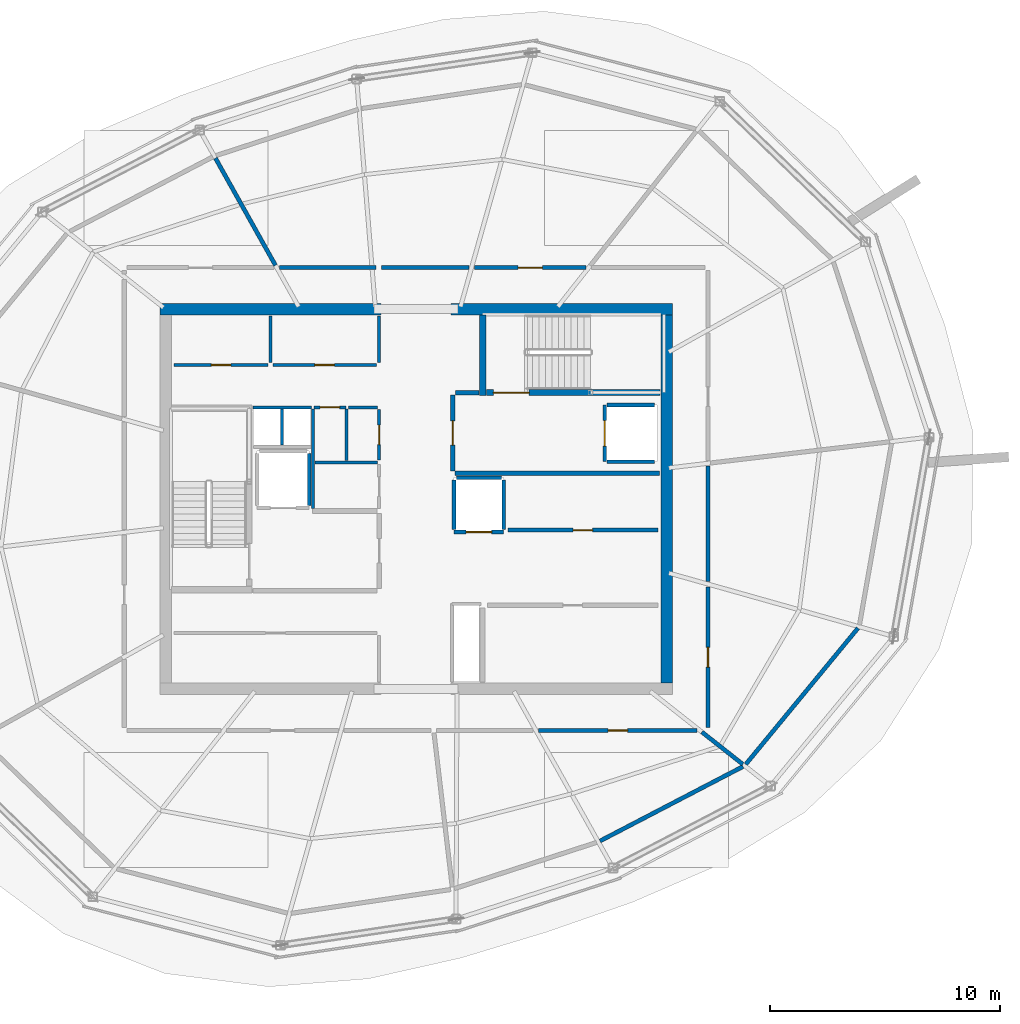
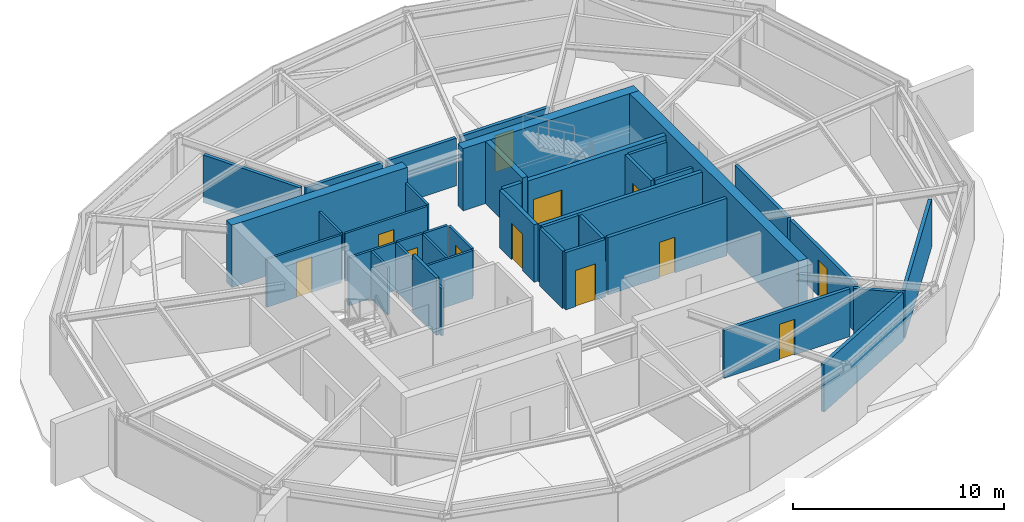
# One storey, part 8 of 10: 39 walls, 12 doors, 12 openings.
"""IFC4 building model written with IfcOpenShell, lengths in metres."""

from ifc_helpers import new_model, si_unit, direction, frame, frame_2d, origin, place, context, subcontext, project, spatial, rectangle, extrude, material, layer, layer_set, type_object, element, fill, save


model = new_model("IFC4")

# Units and contexts
model_context = context("Model", 3, precision=1e-05, world=origin(), true_north=direction((0.0, 1.0)))
body_context = subcontext(model_context, "Body", "Model", "MODEL_VIEW")
ifc_project = project(units=[si_unit("LENGTHUNIT", "METRE"), si_unit("AREAUNIT", "SQUARE_METRE"), si_unit("VOLUMEUNIT", "CUBIC_METRE"), si_unit("PLANEANGLEUNIT", "RADIAN"), si_unit("MASSUNIT", "GRAM", prefix="KILO")], contexts=[model_context])

# Site, building, storey
site_placement = place(None, origin())
site = spatial("IfcSite", under=ifc_project, at=site_placement, CompositionType="ELEMENT")
building_placement = place(site_placement, origin())
building = spatial("IfcBuilding", under=site, at=building_placement, Name="Kazma Halo Residences", CompositionType="ELEMENT")
storey_placement = place(building_placement, frame((0.0, 0.0, 359.60009765625)))
storey = spatial("IfcBuildingStorey", under=building, at=storey_placement, Name="L90", CompositionType="ELEMENT", Elevation=359.60009765625)

# Walls
ifc_material_1 = material(Name="Concrete C60/75", Category="concrete")
ifc_layer_1 = layer(ifc_material_1, 0.5)
ifc_layer_set_1 = layer_set([ifc_layer_1], Name="Concrete C60/75")
wall_type_1 = type_object("IfcWallType", Name="WL-CORE-500", PredefinedType="SHEAR", material=ifc_layer_set_1)
wall_1_placement = place(storey_placement, frame((37.300048828125, 50.25, 0.0), z_axis=(0.0, 0.0, 1.0), x_axis=(1.0, 0.0, 0.0)))
element("IfcWall", 1, at=wall_1_placement, inside=storey, type_object=wall_type_1, Name="L90 central core shear wall NW", PredefinedType="SHEAR", context=body_context, shape_type="SweptSolid", body=[
    extrude(rectangle(XDim=9.599853515625, YDim=0.5, at=frame_2d((4.7998046875, 0.0))), origin(), (0.0, 0.0, 1.0), 3.599853515625),
])
wall_2_placement = place(storey_placement, frame((49.949951171875, 50.25, 0.0), z_axis=(0.0, 0.0, 1.0), x_axis=(1.0, 0.0, 0.0)))
element("IfcWall", 2, at=wall_2_placement, inside=storey, type_object=wall_type_1, Name="L90 central core shear wall NE", PredefinedType="SHEAR", context=body_context, shape_type="SweptSolid", body=[
    extrude(rectangle(XDim=9.60009765625, YDim=0.5, at=frame_2d((4.800048828125, 0.0))), origin(), (0.0, 0.0, 1.0), 3.599853515625),
])
wall_3_placement = place(storey_placement, frame((59.300048828125, 34.0, 0.0), z_axis=(0.0, 0.0, 1.0), x_axis=(0.0, 1.0, 0.0)))
element("IfcWall", 3, at=wall_3_placement, inside=storey, type_object=wall_type_1, Name="L90 central core shear wall E", PredefinedType="SHEAR", context=body_context, shape_type="SweptSolid", body=[
    extrude(rectangle(XDim=16.0, YDim=0.5, at=frame_2d((8.0, 0.0))), origin(), (0.0, 0.0, 1.0), 3.599853515625),
])
ifc_layer_2 = layer(ifc_material_1, 0.280029296875)
ifc_layer_set_2 = layer_set([ifc_layer_2], Name="Concrete C60/75")
wall_type_2 = type_object("IfcWallType", Name="WL-CORE-ST-280", PredefinedType="SHEAR", material=ifc_layer_set_2)
wall_4_placement = place(storey_placement, frame((51.31005859375, 46.5, 0.0), z_axis=(0.0, 0.0, 1.0), x_axis=(0.0, 1.0, 0.0)))
element("IfcWall", 4, at=wall_4_placement, inside=storey, type_object=wall_type_2, Name="L90 stairwell bearing wall ST02-W", PredefinedType="SHEAR", context=body_context, shape_type="SweptSolid", body=[
    extrude(rectangle(XDim=3.5, YDim=0.280029296875, at=frame_2d((1.75, 0.0))), origin(), (0.0, 0.0, 1.0), 3.599853515625),
])
ifc_material_2 = material(Name="Acoustic Twin-Stud Gypsum")
ifc_layer_3 = layer(ifc_material_2, 0.179931640625)
ifc_layer_set_3 = layer_set([ifc_layer_3], Name="Acoustic Twin-Stud Gypsum")
wall_type_3 = type_object("IfcWallType", Name="WL-DEM-180", PredefinedType="PARTITIONING", material=ifc_layer_set_3)
wall_5_placement = place(storey_placement, frame((56.409912109375, 27.14697265625, 0.0), z_axis=(0.0, 0.0, 1.0), x_axis=(0.886949494865, 0.461866423935, 0.0)))
element("IfcWall", 5, at=wall_5_placement, inside=storey, type_object=wall_type_3, Name="L90 crown plant perimeter wall 12", PredefinedType="PARTITIONING", context=body_context, shape_type="SweptSolid", body=[
    extrude(rectangle(XDim=7.002197265625, YDim=0.179931640625, at=frame_2d((3.5009765625, 0.0))), origin(), (0.0, 0.0, 1.0), 2.760009765625),
])
wall_6_placement = place(storey_placement, frame((62.742431640625, 30.479736328125, 0.0), z_axis=(0.0, 0.0, 1.0), x_axis=(0.636018833443, 0.771673534278, 0.0)))
element("IfcWall", 6, at=wall_6_placement, inside=storey, type_object=wall_type_3, Name="L90 crown plant perimeter wall 13", PredefinedType="PARTITIONING", context=body_context, shape_type="SweptSolid", body=[
    extrude(rectangle(XDim=7.661376953125, YDim=0.179931640625, at=frame_2d((3.83056640625, 0.0))), origin(), (0.0, 0.0, 1.0), 2.760009765625),
])

# Wall, opening, door
wall_7_placement = place(storey_placement, frame((55.802734375, 52.050048828125, 0.0), z_axis=(0.0, 0.0, 1.0), x_axis=(-1.0, 0.0, 0.0)))
wall_7 = element("IfcWall", 7, at=wall_7_placement, inside=storey, type_object=wall_type_3, Name="L90 L90 District Cooling Chiller Plant Room corridor wall", PredefinedType="PARTITIONING", context=body_context, shape_type="SweptSolid", body=[
    extrude(rectangle(XDim=4.848388671875, YDim=0.179931640625, at=frame_2d((2.42431640625, 0.0))), origin(), (0.0, 0.0, 1.0), 2.760009765625),
])
opening_1_placement = place(wall_7_placement, frame((1.899169921875, 0.0, 0.0)))
opening_1 = element("IfcOpeningElement", 8, at=opening_1_placement, cuts=wall_7, Name="Opening DF-1050", PredefinedType="OPENING", context=body_context, shape_type="SweptSolid", body=[
    extrude(rectangle(XDim=1.050048828125, YDim=2.10009765625, at=frame_2d((0.52490234375, 1.050048828125))), frame((0.0, 0.099853515625, 0.0), z_axis=(0.0, -1.0, 0.0), x_axis=(1.0, 0.0, 0.0)), (0.0, 0.0, 1.0), 0.199951171875),
])
ifc_material_3 = material(Name="Fire-Rated Steel Leaf", Category="steel")
door_type_1 = type_object("IfcDoorType", Name="DR-FD90-1050", OperationType="NOTDEFINED", PredefinedType="DOOR", material=ifc_material_3)
door_1_placement = place(opening_1_placement, origin())
door_1 = element("IfcDoor", 9, at=door_1_placement, inside=storey, type_object=door_type_1, Name="L90 L90 District Cooling Chiller Plant Room door", OperationType="SINGLE_SWING_RIGHT", OverallHeight=2.10009765625, OverallWidth=1.050048828125, PredefinedType="DOOR", context=body_context, shape_type="SweptSolid", body=[
    extrude(rectangle(XDim=1.050048828125, YDim=2.10009765625, at=frame_2d((0.52490234375, 1.050048828125))), frame((0.0, 0.02490234375, 0.0), z_axis=(0.0, -1.0, 0.0), x_axis=(1.0, 0.0, 0.0)), (0.0, 0.0, 1.0), 0.050048828125),
])
fill(opening_1, door_1)

# Walls
wall_8_placement = place(storey_placement, frame((50.71435546875, 52.050048828125, 0.0), z_axis=(0.0, 0.0, 1.0), x_axis=(-1.0, 0.0, 0.0)))
element("IfcWall", 10, at=wall_8_placement, inside=storey, type_object=wall_type_3, Name="L90 L90 District Cooling Chiller Plant Room corridor wall", PredefinedType="PARTITIONING", context=body_context, shape_type="SweptSolid", body=[
    extrude(rectangle(XDim=3.783935546875, YDim=0.179931640625, at=frame_2d((1.89208984375, 0.0))), origin(), (0.0, 0.0, 1.0), 2.760009765625),
])
wall_9_placement = place(storey_placement, frame((46.6904296875, 52.050048828125, 0.0), z_axis=(0.0, 0.0, 1.0), x_axis=(-1.0, 0.0, 0.0)))
element("IfcWall", 11, at=wall_9_placement, inside=storey, type_object=wall_type_3, Name="L90 L90 District Cooling Chiller Plant Room corridor wall", PredefinedType="PARTITIONING", context=body_context, shape_type="SweptSolid", body=[
    extrude(rectangle(XDim=4.19873046875, YDim=0.179931640625, at=frame_2d((2.099365234375, 0.0))), origin(), (0.0, 0.0, 1.0), 2.760009765625),
])
wall_10_placement = place(storey_placement, frame((42.318115234375, 52.14599609375, 0.0), z_axis=(0.0, 0.0, 1.0), x_axis=(-0.488622869326, 0.872495095443, 0.0)))
element("IfcWall", 12, at=wall_10_placement, inside=storey, type_object=wall_type_3, Name="L90 radial partition wall 04", PredefinedType="PARTITIONING", context=body_context, shape_type="SweptSolid", body=[
    extrude(rectangle(XDim=5.337158203125, YDim=0.179931640625, at=frame_2d((2.66845703125, 0.0))), origin(), (0.0, 0.0, 1.0), 2.760009765625),
])

# Wall, opening, door
wall_11_placement = place(storey_placement, frame((53.748291015625, 31.949951171875, 0.0), z_axis=(0.0, 0.0, 1.0), x_axis=(1.0, 0.0, 0.0)))
wall_11 = element("IfcWall", 13, at=wall_11_placement, inside=storey, type_object=wall_type_3, Name="L90 L90 Domestic Break Water Tank Room corridor wall", PredefinedType="PARTITIONING", context=body_context, shape_type="SweptSolid", body=[
    extrude(rectangle(XDim=6.880126953125, YDim=0.179931640625, at=frame_2d((3.43994140625, 0.0))), origin(), (0.0, 0.0, 1.0), 2.760009765625),
])
opening_2_placement = place(wall_11_placement, frame((3.014892578125, 0.0, 0.0)))
opening_2 = element("IfcOpeningElement", 14, at=opening_2_placement, cuts=wall_11, Name="Opening DS-850", PredefinedType="OPENING", context=body_context, shape_type="SweptSolid", body=[
    extrude(rectangle(XDim=0.85009765625, YDim=2.06005859375, at=frame_2d((0.425048828125, 1.030029296875))), frame((0.0, 0.099853515625, 0.0), z_axis=(0.0, -1.0, 0.0), x_axis=(1.0, 0.0, 0.0)), (0.0, 0.0, 1.0), 0.199951171875),
])
ifc_material_4 = material(Name="Painted Steel Access Leaf", Category="steel")
door_type_2 = type_object("IfcDoorType", Name="DR-SVC-850", OperationType="NOTDEFINED", PredefinedType="DOOR", material=ifc_material_4)
door_2_placement = place(opening_2_placement, origin())
door_2 = element("IfcDoor", 15, at=door_2_placement, inside=storey, type_object=door_type_2, Name="L90 L90 Domestic Break Water Tank Room door", OperationType="SINGLE_SWING_RIGHT", OverallHeight=2.06005859375, OverallWidth=0.85009765625, PredefinedType="DOOR", context=body_context, shape_type="SweptSolid", body=[
    extrude(rectangle(XDim=0.85009765625, YDim=2.06005859375, at=frame_2d((0.425048828125, 1.030029296875))), frame((0.0, 0.02490234375, 0.0), z_axis=(0.0, -1.0, 0.0), x_axis=(1.0, 0.0, 0.0)), (0.0, 0.0, 1.0), 0.050048828125),
])
fill(opening_2, door_2)

# Wall
wall_12_placement = place(storey_placement, frame((60.834716796875, 31.8818359375, 0.0), z_axis=(0.0, 0.0, 1.0), x_axis=(0.785329646864, -0.619077818821, 0.0)))
element("IfcWall", 16, at=wall_12_placement, inside=storey, type_object=wall_type_3, Name="L90 radial partition wall 13", PredefinedType="PARTITIONING", context=body_context, shape_type="SweptSolid", body=[
    extrude(rectangle(XDim=2.264404296875, YDim=0.179931640625, at=frame_2d((1.13232421875, 0.0))), origin(), (0.0, 0.0, 1.0), 2.760009765625),
])

# Wall, opening, door
wall_13_placement = place(storey_placement, frame((61.10009765625, 32.070068359375, 0.0), z_axis=(0.0, 0.0, 1.0), x_axis=(0.0, 1.0, 0.0)))
wall_13 = element("IfcWall", 17, at=wall_13_placement, inside=storey, type_object=wall_type_3, Name="L90 L90 HV Switchgear Plant Room corridor wall", PredefinedType="PARTITIONING", context=body_context, shape_type="SweptSolid", body=[
    extrude(rectangle(XDim=6.115234375, YDim=0.179931640625, at=frame_2d((3.0576171875, 0.0))), origin(), (0.0, 0.0, 1.0), 2.760009765625),
])
opening_3_placement = place(wall_13_placement, frame((2.6328125, 0.0, 0.0)))
opening_3 = element("IfcOpeningElement", 18, at=opening_3_placement, cuts=wall_13, Name="Opening DS-850", PredefinedType="OPENING", context=body_context, shape_type="SweptSolid", body=[
    extrude(rectangle(XDim=0.85009765625, YDim=2.06005859375, at=frame_2d((0.425048828125, 1.030029296875))), frame((0.0, 0.099853515625, 0.0), z_axis=(0.0, -1.0, 0.0), x_axis=(1.0, 0.0, 0.0)), (0.0, 0.0, 1.0), 0.199951171875),
])
door_3_placement = place(opening_3_placement, origin())
door_3 = element("IfcDoor", 19, at=door_3_placement, inside=storey, type_object=door_type_2, Name="L90 L90 HV Switchgear Plant Room door", OperationType="SINGLE_SWING_LEFT", OverallHeight=2.06005859375, OverallWidth=0.85009765625, PredefinedType="DOOR", context=body_context, shape_type="SweptSolid", body=[
    extrude(rectangle(XDim=0.85009765625, YDim=2.06005859375, at=frame_2d((0.425048828125, 1.030029296875))), frame((0.0, 0.02490234375, 0.0), z_axis=(0.0, -1.0, 0.0), x_axis=(1.0, 0.0, 0.0)), (0.0, 0.0, 1.0), 0.050048828125),
])
fill(opening_3, door_3)

# Walls
wall_14_placement = place(storey_placement, frame((61.10009765625, 38.42529296875, 0.0), z_axis=(0.0, 0.0, 1.0), x_axis=(0.0, 1.0, 0.0)))
element("IfcWall", 20, at=wall_14_placement, inside=storey, type_object=wall_type_3, Name="L90 L90 HV Switchgear Plant Room corridor wall", PredefinedType="PARTITIONING", context=body_context, shape_type="SweptSolid", body=[
    extrude(rectangle(XDim=5.005126953125, YDim=0.179931640625, at=frame_2d((2.50244140625, 0.0))), origin(), (0.0, 0.0, 1.0), 2.760009765625),
])
ifc_material_5 = material(Name="Fire-Rated Blockwork Masonry", Category="masonry")
ifc_layer_4 = layer(ifc_material_5, 0.199951171875)
ifc_layer_set_4 = layer_set([ifc_layer_4], Name="Fire-Rated Blockwork Masonry")
wall_type_4 = type_object("IfcWallType", Name="WL-FLB-200", PredefinedType="PARTITIONING", material=ifc_layer_set_4)
wall_15_placement = place(storey_placement, frame((43.780029296875, 41.719970703125, 0.0), z_axis=(0.0, 0.0, 1.0), x_axis=(0.0, 1.0, 0.0)))
element("IfcWall", 21, at=wall_15_placement, inside=storey, type_object=wall_type_4, Name="L90 lift shaft FL-01 side wall E", PredefinedType="PARTITIONING", context=body_context, shape_type="SweptSolid", body=[
    extrude(rectangle(XDim=2.260009765625, YDim=0.159912109375, at=frame_2d((1.1298828125, 0.0))), origin(), (0.0, 0.0, 1.0), 3.31982421875),
])

# Wall, opening, door
wall_16_placement = place(storey_placement, frame((56.6201171875, 46.080078125, 0.0), z_axis=(0.0, 0.0, 1.0), x_axis=(0.0, -1.0, 0.0)))
wall_16 = element("IfcWall", 22, at=wall_16_placement, inside=storey, type_object=wall_type_4, Name="L90 lift shaft FL-02 front wall", PredefinedType="PARTITIONING", context=body_context, shape_type="SweptSolid", body=[
    extrude(rectangle(XDim=2.4599609375, YDim=0.159912109375, at=frame_2d((1.22998046875, 0.0))), origin(), (0.0, 0.0, 1.0), 3.31982421875),
])
opening_4_placement = place(wall_16_placement, frame((0.679931640625, 0.0, 0.0)))
opening_4 = element("IfcOpeningElement", 23, at=opening_4_placement, cuts=wall_16, Name="Opening LD-FL-02", PredefinedType="OPENING", context=body_context, shape_type="SweptSolid", body=[
    extrude(rectangle(XDim=1.10009765625, YDim=2.10009765625, at=frame_2d((0.550048828125, 1.050048828125))), frame((0.0, 0.08984375, 0.0), z_axis=(0.0, -1.0, 0.0), x_axis=(1.0, 0.0, 0.0)), (0.0, 0.0, 1.0), 0.179931640625),
])
ifc_material_6 = material(Name="Stainless Steel Fire-Rated", Category="steel")
door_type_3 = type_object("IfcDoorType", Name="DR-LIFT-SLD-1100", OperationType="DOUBLE_DOOR_SLIDING", PredefinedType="DOOR", material=ifc_material_6)
door_4_placement = place(opening_4_placement, origin())
door_4 = element("IfcDoor", 24, at=door_4_placement, inside=storey, type_object=door_type_3, Name="L90 lift FL-02 sliding landing door", OperationType="DOUBLE_DOOR_SLIDING", OverallHeight=2.10009765625, OverallWidth=1.10009765625, PredefinedType="DOOR", context=body_context, shape_type="SweptSolid", body=[
    extrude(rectangle(XDim=1.10009765625, YDim=2.10009765625, at=frame_2d((0.550048828125, 1.050048828125))), frame((0.0, 0.02490234375, 0.0), z_axis=(0.0, -1.0, 0.0), x_axis=(1.0, 0.0, 0.0)), (0.0, 0.0, 1.0), 0.050048828125),
])
fill(opening_4, door_4)

# Walls
for number, where, z_axis, x_axis, name in (
    (25, (56.719970703125, 46.080078125, 0.0), (0.0, 0.0, 1.0), (1.0, 0.0, 0.0), "L90 lift shaft FL-02 side wall N"),
    (26, (56.719970703125, 43.6201171875, 0.0), (0.0, 0.0, 1.0), (1.0, 0.0, 0.0), "L90 lift shaft FL-02 side wall S"),
):
    element("IfcWall", number, at=place(storey_placement, frame(where, z_axis=z_axis, x_axis=x_axis)), inside=storey, type_object=wall_type_4, Name=name, PredefinedType="PARTITIONING", context=body_context, shape_type="SweptSolid", body=[
        extrude(rectangle(XDim=2.06005859375, YDim=0.159912109375, at=frame_2d((1.030029296875, 0.0))), origin(), (0.0, 0.0, 1.0), 3.31982421875),
    ])

# Wall, opening, door
wall_17_placement = place(storey_placement, frame((52.22998046875, 40.570068359375, 0.0), z_axis=(0.0, 0.0, 1.0), x_axis=(-1.0, 0.0, 0.0)))
wall_17 = element("IfcWall", 27, at=wall_17_placement, inside=storey, type_object=wall_type_4, Name="L90 lift shaft SV-01 front wall", PredefinedType="PARTITIONING", context=body_context, shape_type="SweptSolid", body=[
    extrude(rectangle(XDim=2.159912109375, YDim=0.159912109375, at=frame_2d((1.080078125, 0.0))), origin(), (0.0, 0.0, 1.0), 3.31982421875),
])
opening_5_placement = place(wall_17_placement, frame((0.530029296875, 0.0, 0.0)))
opening_5 = element("IfcOpeningElement", 28, at=opening_5_placement, cuts=wall_17, Name="Opening LD-SV-01", PredefinedType="OPENING", context=body_context, shape_type="SweptSolid", body=[
    extrude(rectangle(XDim=1.10009765625, YDim=2.10009765625, at=frame_2d((0.550048828125, 1.050048828125))), frame((0.0, 0.08984375, 0.0), z_axis=(0.0, -1.0, 0.0), x_axis=(1.0, 0.0, 0.0)), (0.0, 0.0, 1.0), 0.179931640625),
])
door_5_placement = place(opening_5_placement, origin())
door_5 = element("IfcDoor", 29, at=door_5_placement, inside=storey, type_object=door_type_3, Name="L90 lift SV-01 sliding landing door", OperationType="DOUBLE_DOOR_SLIDING", OverallHeight=2.10009765625, OverallWidth=1.10009765625, PredefinedType="DOOR", context=body_context, shape_type="SweptSolid", body=[
    extrude(rectangle(XDim=1.10009765625, YDim=2.10009765625, at=frame_2d((0.550048828125, 1.050048828125))), frame((0.0, 0.02490234375, 0.0), z_axis=(0.0, -1.0, 0.0), x_axis=(1.0, 0.0, 0.0)), (0.0, 0.0, 1.0), 0.050048828125),
])
fill(opening_5, door_5)

# Walls
for number, where, z_axis, x_axis, name in (
    (30, (52.22998046875, 40.669921875, 0.0), (0.0, 0.0, 1.0), (0.0, 1.0, 0.0), "L90 lift shaft SV-01 side wall E"),
    (31, (50.070068359375, 40.669921875, 0.0), (0.0, 0.0, 1.0), (0.0, 1.0, 0.0), "L90 lift shaft SV-01 side wall W"),
):
    element("IfcWall", number, at=place(storey_placement, frame(where, z_axis=z_axis, x_axis=x_axis)), inside=storey, type_object=wall_type_4, Name=name, PredefinedType="PARTITIONING", context=body_context, shape_type="SweptSolid", body=[
        extrude(rectangle(XDim=2.16015625, YDim=0.159912109375, at=frame_2d((1.080078125, 0.0))), origin(), (0.0, 0.0, 1.0), 3.31982421875),
    ])
wall_18_placement = place(storey_placement, frame((50.169921875, 42.929931640625, 0.0), z_axis=(0.0, 0.0, 1.0), x_axis=(1.0, 0.0, 0.0)))
element("IfcWall", 32, at=wall_18_placement, inside=storey, type_object=wall_type_4, Name="L90 lift shaft SV-01 side wall N", PredefinedType="PARTITIONING", context=body_context, shape_type="SweptSolid", body=[
    extrude(rectangle(XDim=1.9599609375, YDim=0.159912109375, at=frame_2d((0.97998046875, 0.0))), origin(), (0.0, 0.0, 1.0), 3.31982421875),
])

# Wall, opening, door
wall_19_placement = place(storey_placement, frame((52.419921875, 40.64990234375, 0.0), z_axis=(0.0, 0.0, 1.0), x_axis=(1.0, 0.0, 0.0)))
wall_19 = element("IfcWall", 33, at=wall_19_placement, inside=storey, type_object=wall_type_4, Name="L90 core east reserve wall", PredefinedType="PARTITIONING", context=body_context, shape_type="SweptSolid", body=[
    extrude(rectangle(XDim=6.5, YDim=0.179931640625, at=frame_2d((3.25, 0.0))), origin(), (0.0, 0.0, 1.0), 3.31982421875),
])
opening_6_placement = place(wall_19_placement, frame((2.824951171875, 0.0, 0.0)))
opening_6 = element("IfcOpeningElement", 34, at=opening_6_placement, cuts=wall_19, Name="Opening DS-850", PredefinedType="OPENING", context=body_context, shape_type="SweptSolid", body=[
    extrude(rectangle(XDim=0.85009765625, YDim=2.06005859375, at=frame_2d((0.425048828125, 1.030029296875))), frame((0.0, 0.099853515625, 0.0), z_axis=(0.0, -1.0, 0.0), x_axis=(1.0, 0.0, 0.0)), (0.0, 0.0, 1.0), 0.199951171875),
])
door_6_placement = place(opening_6_placement, origin())
door_6 = element("IfcDoor", 35, at=door_6_placement, inside=storey, type_object=door_type_2, Name="L90 core east reserve door", OperationType="SINGLE_SWING_LEFT", OverallHeight=2.06005859375, OverallWidth=0.85009765625, PredefinedType="DOOR", context=body_context, shape_type="SweptSolid", body=[
    extrude(rectangle(XDim=0.85009765625, YDim=2.06005859375, at=frame_2d((0.425048828125, 1.030029296875))), frame((0.0, 0.02490234375, 0.0), z_axis=(0.0, -1.0, 0.0), x_axis=(1.0, 0.0, 0.0)), (0.0, 0.0, 1.0), 0.050048828125),
])
fill(opening_6, door_6)

# Walls
wall_20_placement = place(storey_placement, frame((50.1201171875, 43.1201171875, 0.0), z_axis=(0.0, 0.0, 1.0), x_axis=(1.0, 0.0, 0.0)))
element("IfcWall", 36, at=wall_20_placement, inside=storey, type_object=wall_type_4, Name="L90 east firefighting lobby south smoke wall", PredefinedType="PARTITIONING", context=body_context, shape_type="SweptSolid", body=[
    extrude(rectangle(XDim=8.8798828125, YDim=0.199951171875, at=frame_2d((4.43994140625, 0.0))), origin(), (0.0, 0.0, 1.0), 3.31982421875),
])
wall_21_placement = place(storey_placement, frame((50.139892578125, 46.6201171875, 0.0), z_axis=(0.0, 0.0, 1.0), x_axis=(1.0, 0.0, 0.0)))
element("IfcWall", 37, at=wall_21_placement, inside=storey, type_object=wall_type_4, Name="L90 east firefighting lobby north closure wall", PredefinedType="PARTITIONING", context=body_context, shape_type="SweptSolid", body=[
    extrude(rectangle(XDim=1.02001953125, YDim=0.199951171875, at=frame_2d((0.510009765625, 0.0))), origin(), (0.0, 0.0, 1.0), 3.31982421875),
])

# Wall, opening, door
wall_22_placement = place(storey_placement, frame((50.02001953125, 43.219970703125, 0.0), z_axis=(0.0, 0.0, 1.0), x_axis=(0.0, 1.0, 0.0)))
wall_22 = element("IfcWall", 38, at=wall_22_placement, inside=storey, type_object=wall_type_4, Name="L90 east firefighting lobby smoke wall", PredefinedType="PARTITIONING", context=body_context, shape_type="SweptSolid", body=[
    extrude(rectangle(XDim=3.300048828125, YDim=0.199951171875, at=frame_2d((1.64990234375, 0.0))), origin(), (0.0, 0.0, 1.0), 3.31982421875),
])
opening_7_placement = place(wall_22_placement, frame((1.125, 0.0, 0.0)))
opening_7 = element("IfcOpeningElement", 39, at=opening_7_placement, cuts=wall_22, Name="Opening D-FLE", PredefinedType="OPENING", context=body_context, shape_type="SweptSolid", body=[
    extrude(rectangle(XDim=1.050048828125, YDim=2.10009765625, at=frame_2d((0.52490234375, 1.050048828125))), frame((0.0, 0.10986328125, 0.0), z_axis=(0.0, -1.0, 0.0), x_axis=(1.0, 0.0, 0.0)), (0.0, 0.0, 1.0), 0.219970703125),
])
door_7_placement = place(opening_7_placement, origin())
door_7 = element("IfcDoor", 40, at=door_7_placement, inside=storey, type_object=door_type_1, Name="L90 east firefighting lobby smoke door", OperationType="SINGLE_SWING_RIGHT", OverallHeight=2.10009765625, OverallWidth=1.050048828125, PredefinedType="DOOR", context=body_context, shape_type="SweptSolid", body=[
    extrude(rectangle(XDim=1.050048828125, YDim=2.10009765625, at=frame_2d((0.52490234375, 1.050048828125))), frame((0.0, 0.02490234375, 0.0), z_axis=(0.0, -1.0, 0.0), x_axis=(1.0, 0.0, 0.0)), (0.0, 0.0, 1.0), 0.050048828125),
])
fill(opening_7, door_7)

# Walls
ifc_material_7 = material(Name="Gypsum Plasterboard Partition")
ifc_layer_5 = layer(ifc_material_7, 0.125)
ifc_layer_set_5 = layer_set([ifc_layer_5], Name="Gypsum Plasterboard Partition")
wall_type_5 = type_object("IfcWallType", Name="WL-PART-125", PredefinedType="PARTITIONING", material=ifc_layer_set_5)
for number, where, z_axis, x_axis, name in (
    (41, (46.820068359375, 47.919921875, 0.0), (0.0, 0.0, 1.0), (0.0, 1.0, 0.0), "L90 reclaimed north east wall"),
    (42, (42.10009765625, 47.919921875, 0.0), (0.0, 0.0, 1.0), (0.0, 1.0, 0.0), "L90 reclaimed north divider wall"),
):
    element("IfcWall", number, at=place(storey_placement, frame(where, z_axis=z_axis, x_axis=x_axis)), inside=storey, type_object=wall_type_5, Name=name, PredefinedType="PARTITIONING", context=body_context, shape_type="SweptSolid", body=[
        extrude(rectangle(XDim=2.030029296875, YDim=0.125, at=frame_2d((1.01513671875, 0.0))), origin(), (0.0, 0.0, 1.0), 2.760009765625),
    ])

# Wall, opening, door
wall_23_placement = place(storey_placement, frame((37.919921875, 47.820068359375, 0.0), z_axis=(0.0, 0.0, 1.0), x_axis=(1.0, 0.0, 0.0)))
wall_23 = element("IfcWall", 43, at=wall_23_placement, inside=storey, type_object=wall_type_5, Name="L90 reclaimed north W front wall", PredefinedType="PARTITIONING", context=body_context, shape_type="SweptSolid", body=[
    extrude(rectangle(XDim=4.080078125, YDim=0.125, at=frame_2d((2.0400390625, 0.0))), origin(), (0.0, 0.0, 1.0), 2.760009765625),
])
opening_8_placement = place(wall_23_placement, frame((1.614990234375, 0.0, 0.0)))
opening_8 = element("IfcOpeningElement", 44, at=opening_8_placement, cuts=wall_23, Name="Opening DS-850", PredefinedType="OPENING", context=body_context, shape_type="SweptSolid", body=[
    extrude(rectangle(XDim=0.85009765625, YDim=2.06005859375, at=frame_2d((0.425048828125, 1.030029296875))), frame((0.0, 0.072509765625, 0.0), z_axis=(0.0, -1.0, 0.0), x_axis=(1.0, 0.0, 0.0)), (0.0, 0.0, 1.0), 0.14501953125),
])
door_8_placement = place(opening_8_placement, origin())
door_8 = element("IfcDoor", 45, at=door_8_placement, inside=storey, type_object=door_type_2, Name="L90 reclaimed north W door", OperationType="SINGLE_SWING_RIGHT", OverallHeight=2.06005859375, OverallWidth=0.85009765625, PredefinedType="DOOR", context=body_context, shape_type="SweptSolid", body=[
    extrude(rectangle(XDim=0.85009765625, YDim=2.06005859375, at=frame_2d((0.425048828125, 1.030029296875))), frame((0.0, 0.02490234375, 0.0), z_axis=(0.0, -1.0, 0.0), x_axis=(1.0, 0.0, 0.0)), (0.0, 0.0, 1.0), 0.050048828125),
])
fill(opening_8, door_8)

wall_24_placement = place(storey_placement, frame((42.199951171875, 47.820068359375, 0.0), z_axis=(0.0, 0.0, 1.0), x_axis=(1.0, 0.0, 0.0)))
wall_24 = element("IfcWall", 46, at=wall_24_placement, inside=storey, type_object=wall_type_5, Name="L90 reclaimed north E front wall", PredefinedType="PARTITIONING", context=body_context, shape_type="SweptSolid", body=[
    extrude(rectangle(XDim=4.5, YDim=0.125, at=frame_2d((2.25, 0.0))), origin(), (0.0, 0.0, 1.0), 2.760009765625),
])
opening_9_placement = place(wall_24_placement, frame((1.824951171875, 0.0, 0.0)))
opening_9 = element("IfcOpeningElement", 47, at=opening_9_placement, cuts=wall_24, Name="Opening DS-850", PredefinedType="OPENING", context=body_context, shape_type="SweptSolid", body=[
    extrude(rectangle(XDim=0.85009765625, YDim=2.06005859375, at=frame_2d((0.425048828125, 1.030029296875))), frame((0.0, 0.072509765625, 0.0), z_axis=(0.0, -1.0, 0.0), x_axis=(1.0, 0.0, 0.0)), (0.0, 0.0, 1.0), 0.14501953125),
])
door_9_placement = place(opening_9_placement, origin())
door_9 = element("IfcDoor", 48, at=door_9_placement, inside=storey, type_object=door_type_2, Name="L90 reclaimed north E door", OperationType="SINGLE_SWING_LEFT", OverallHeight=2.06005859375, OverallWidth=0.85009765625, PredefinedType="DOOR", context=body_context, shape_type="SweptSolid", body=[
    extrude(rectangle(XDim=0.85009765625, YDim=2.06005859375, at=frame_2d((0.425048828125, 1.030029296875))), frame((0.0, 0.02490234375, 0.0), z_axis=(0.0, -1.0, 0.0), x_axis=(1.0, 0.0, 0.0)), (0.0, 0.0, 1.0), 0.050048828125),
])
fill(opening_9, door_9)

# Walls
wall_25_placement = place(storey_placement, frame((42.60009765625, 44.35009765625, 0.0), z_axis=(0.0, 0.0, 1.0), x_axis=(0.0, 1.0, 0.0)))
element("IfcWall", 49, at=wall_25_placement, inside=storey, type_object=wall_type_5, Name="L90 core riser divider wall", PredefinedType="PARTITIONING", context=body_context, shape_type="SweptSolid", body=[
    extrude(rectangle(XDim=1.5498046875, YDim=0.125, at=frame_2d((0.77490234375, 0.0))), origin(), (0.0, 0.0, 1.0), 2.760009765625),
])
wall_26_placement = place(storey_placement, frame((43.949951171875, 41.580078125, 0.0), z_axis=(0.0, 0.0, 1.0), x_axis=(0.0, 1.0, 0.0)))
element("IfcWall", 50, at=wall_26_placement, inside=storey, type_object=wall_type_5, Name="L90 core service west wall", PredefinedType="PARTITIONING", context=body_context, shape_type="SweptSolid", body=[
    extrude(rectangle(XDim=4.31982421875, YDim=0.125, at=frame_2d((2.159912109375, 0.0))), origin(), (0.0, 0.0, 1.0), 2.760009765625),
])
wall_27_placement = place(storey_placement, frame((44.030029296875, 43.590087890625, 0.0), z_axis=(0.0, 0.0, 1.0), x_axis=(1.0, 0.0, 0.0)))
element("IfcWall", 51, at=wall_27_placement, inside=storey, type_object=wall_type_5, Name="L90 core service horiz divider", PredefinedType="PARTITIONING", context=body_context, shape_type="SweptSolid", body=[
    extrude(rectangle(XDim=2.7099609375, YDim=0.125, at=frame_2d((1.35498046875, 0.0))), origin(), (0.0, 0.0, 1.0), 2.760009765625),
])
wall_28_placement = place(storey_placement, frame((45.409912109375, 43.669921875, 0.0), z_axis=(0.0, 0.0, 1.0), x_axis=(0.0, 1.0, 0.0)))
element("IfcWall", 52, at=wall_28_placement, inside=storey, type_object=wall_type_5, Name="L90 core service vert divider", PredefinedType="PARTITIONING", context=body_context, shape_type="SweptSolid", body=[
    extrude(rectangle(XDim=2.22998046875, YDim=0.125, at=frame_2d((1.114990234375, 0.0))), origin(), (0.0, 0.0, 1.0), 2.760009765625),
])

# Wall, opening, door
wall_29_placement = place(storey_placement, frame((46.820068359375, 43.68994140625, 0.0), z_axis=(0.0, 0.0, 1.0), x_axis=(0.0, 1.0, 0.0)))
wall_29 = element("IfcWall", 53, at=wall_29_placement, inside=storey, type_object=wall_type_5, Name="L90 sub-metering east wall", PredefinedType="PARTITIONING", context=body_context, shape_type="SweptSolid", body=[
    extrude(rectangle(XDim=2.18994140625, YDim=0.125, at=frame_2d((1.094970703125, 0.0))), origin(), (0.0, 0.0, 1.0), 2.760009765625),
])
opening_10_placement = place(wall_29_placement, frame((0.669921875, 0.0, 0.0)))
opening_10 = element("IfcOpeningElement", 54, at=opening_10_placement, cuts=wall_29, Name="Opening DS-850", PredefinedType="OPENING", context=body_context, shape_type="SweptSolid", body=[
    extrude(rectangle(XDim=0.85009765625, YDim=2.06005859375, at=frame_2d((0.425048828125, 1.030029296875))), frame((0.0, 0.072509765625, 0.0), z_axis=(0.0, -1.0, 0.0), x_axis=(1.0, 0.0, 0.0)), (0.0, 0.0, 1.0), 0.14501953125),
])
door_10_placement = place(opening_10_placement, origin())
door_10 = element("IfcDoor", 55, at=door_10_placement, inside=storey, type_object=door_type_2, Name="L90 sub-metering door", OperationType="SINGLE_SWING_RIGHT", OverallHeight=2.06005859375, OverallWidth=0.85009765625, PredefinedType="DOOR", context=body_context, shape_type="SweptSolid", body=[
    extrude(rectangle(XDim=0.85009765625, YDim=2.06005859375, at=frame_2d((0.425048828125, 1.030029296875))), frame((0.0, 0.02490234375, 0.0), z_axis=(0.0, -1.0, 0.0), x_axis=(1.0, 0.0, 0.0)), (0.0, 0.0, 1.0), 0.050048828125),
])
fill(opening_10, door_10)

# Wall
wall_30_placement = place(storey_placement, frame((41.35009765625, 45.97998046875, 0.0), z_axis=(0.0, 0.0, 1.0), x_axis=(1.0, 0.0, 0.0)))
element("IfcWall", 56, at=wall_30_placement, inside=storey, type_object=wall_type_5, Name="L90 core riser NW wall", PredefinedType="PARTITIONING", context=body_context, shape_type="SweptSolid", body=[
    extrude(rectangle(XDim=2.52978515625, YDim=0.125, at=frame_2d((1.264892578125, 0.0))), origin(), (0.0, 0.0, 1.0), 2.760009765625),
])

# Wall, opening, door
wall_31_placement = place(storey_placement, frame((43.989990234375, 45.97998046875, 0.0), z_axis=(0.0, 0.0, 1.0), x_axis=(1.0, 0.0, 0.0)))
wall_31 = element("IfcWall", 57, at=wall_31_placement, inside=storey, type_object=wall_type_5, Name="L90 cleaners cupboard north wall", PredefinedType="PARTITIONING", context=body_context, shape_type="SweptSolid", body=[
    extrude(rectangle(XDim=1.380126953125, YDim=0.125, at=frame_2d((0.68994140625, 0.0))), origin(), (0.0, 0.0, 1.0), 2.760009765625),
])
opening_11_placement = place(wall_31_placement, frame((0.264892578125, 0.0, 0.0)))
opening_11 = element("IfcOpeningElement", 58, at=opening_11_placement, cuts=wall_31, Name="Opening DS-850", PredefinedType="OPENING", context=body_context, shape_type="SweptSolid", body=[
    extrude(rectangle(XDim=0.85009765625, YDim=2.06005859375, at=frame_2d((0.425048828125, 1.030029296875))), frame((0.0, 0.072509765625, 0.0), z_axis=(0.0, -1.0, 0.0), x_axis=(1.0, 0.0, 0.0)), (0.0, 0.0, 1.0), 0.14501953125),
])
door_11_placement = place(opening_11_placement, origin())
door_11 = element("IfcDoor", 59, at=door_11_placement, inside=storey, type_object=door_type_2, Name="L90 cleaners cupboard door", OperationType="SINGLE_SWING_LEFT", OverallHeight=2.06005859375, OverallWidth=0.85009765625, PredefinedType="DOOR", context=body_context, shape_type="SweptSolid", body=[
    extrude(rectangle(XDim=0.85009765625, YDim=2.06005859375, at=frame_2d((0.425048828125, 1.030029296875))), frame((0.0, 0.02490234375, 0.0), z_axis=(0.0, -1.0, 0.0), x_axis=(1.0, 0.0, 0.0)), (0.0, 0.0, 1.0), 0.050048828125),
])
fill(opening_11, door_11)

# Wall
wall_32_placement = place(storey_placement, frame((45.47998046875, 45.97998046875, 0.0), z_axis=(0.0, 0.0, 1.0), x_axis=(1.0, 0.0, 0.0)))
element("IfcWall", 60, at=wall_32_placement, inside=storey, type_object=wall_type_5, Name="L90 sub-metering north wall", PredefinedType="PARTITIONING", context=body_context, shape_type="SweptSolid", body=[
    extrude(rectangle(XDim=1.260009765625, YDim=0.125, at=frame_2d((0.6298828125, 0.0))), origin(), (0.0, 0.0, 1.0), 2.760009765625),
])

# Wall, opening, door
ifc_material_8 = material(Name="Concrete C50/60", Category="concrete")
ifc_layer_6 = layer(ifc_material_8, 0.25)
ifc_layer_set_6 = layer_set([ifc_layer_6], Name="Concrete C50/60")
wall_type_6 = type_object("IfcWallType", Name="WL-SHF-250", PredefinedType="SOLIDWALL", material=ifc_layer_set_6)
wall_33_placement = place(storey_placement, frame((51.47998046875, 46.6201171875, 0.0), z_axis=(0.0, 0.0, 1.0), x_axis=(1.0, 0.0, 0.0)))
wall_33 = element("IfcWall", 61, at=wall_33_placement, inside=storey, type_object=wall_type_6, Name="L90 exit stair ST-02 enclosure wall", PredefinedType="SOLIDWALL", context=body_context, shape_type="SweptSolid", body=[
    extrude(rectangle(XDim=7.5400390625, YDim=0.25, at=frame_2d((3.77001953125, 0.0))), origin(), (0.0, 0.0, 1.0), 3.31982421875),
])
opening_12_placement = place(wall_33_placement, frame((0.300048828125, 0.0, 0.0)))
opening_12 = element("IfcOpeningElement", 62, at=opening_12_placement, cuts=wall_33, Name="Opening D-ST2", PredefinedType="OPENING", context=body_context, shape_type="SweptSolid", body=[
    extrude(rectangle(XDim=1.550048828125, YDim=2.14990234375, at=frame_2d((0.77490234375, 1.074951171875))), frame((0.0, 0.135009765625, 0.0), z_axis=(0.0, -1.0, 0.0), x_axis=(1.0, 0.0, 0.0)), (0.0, 0.0, 1.0), 0.27001953125),
])
ifc_material_9 = material(Name="Fire-Rated Double Steel Leaf", Category="steel")
door_type_4 = type_object("IfcDoorType", Name="DR-FD90-1550", OperationType="NOTDEFINED", PredefinedType="DOOR", material=ifc_material_9)
door_12_placement = place(opening_12_placement, origin())
door_12 = element("IfcDoor", 63, at=door_12_placement, inside=storey, type_object=door_type_4, Name="L90 exit stair ST-02 fire door", OperationType="DOUBLE_DOOR_SINGLE_SWING", OverallHeight=2.14990234375, OverallWidth=1.550048828125, PredefinedType="DOOR", context=body_context, shape_type="SweptSolid", body=[
    extrude(rectangle(XDim=1.550048828125, YDim=2.14990234375, at=frame_2d((0.77490234375, 1.074951171875))), frame((0.0, 0.02490234375, 0.0), z_axis=(0.0, -1.0, 0.0), x_axis=(1.0, 0.0, 0.0)), (0.0, 0.0, 1.0), 0.050048828125),
])
fill(opening_12, door_12)

save(model, "model.ifc")
